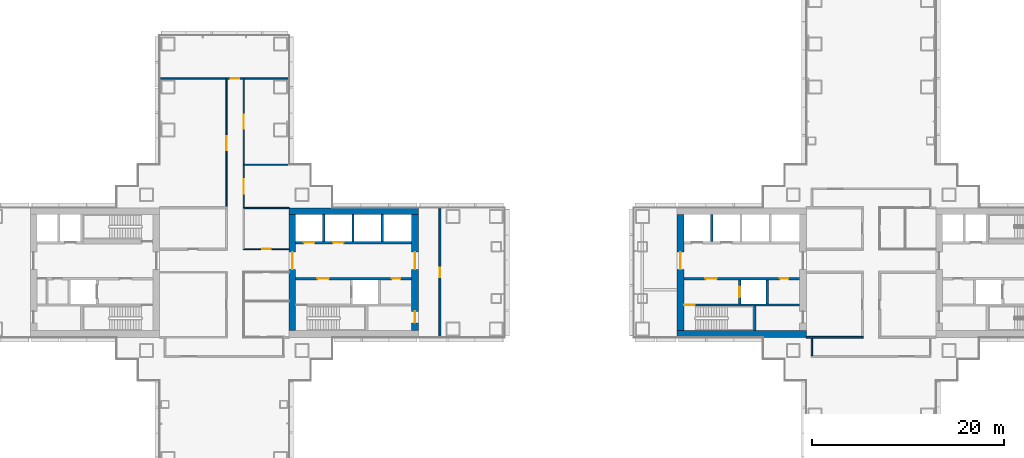
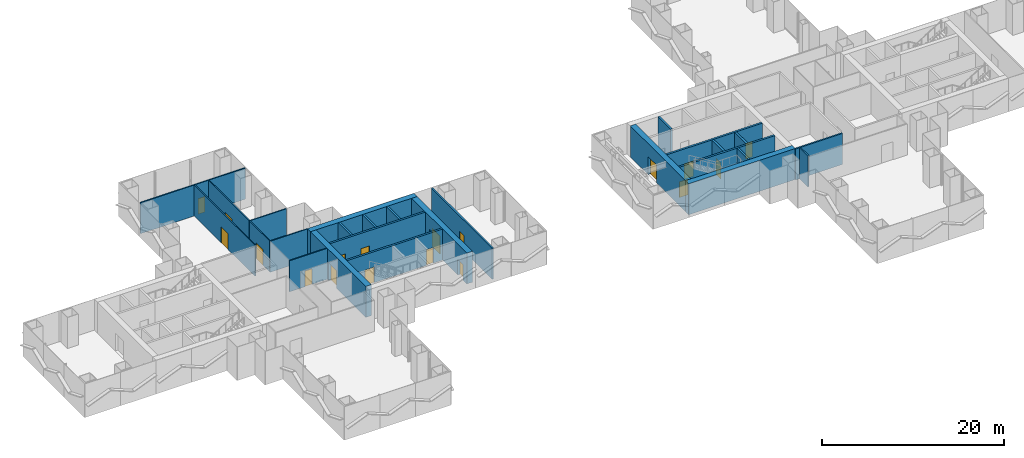
# One storey, part 15 of 22: 28 walls, 18 doors, 18 openings.
"""IFC4 building model written with IfcOpenShell, lengths in metres."""

import ifcopenshell
import ifcopenshell.guid

model = None  # the IFC model being written
_history = None  # IfcOwnerHistory: only IFC2X3 demands one
_inside = {}  # id of a spatial element -> (the spatial element, [elements in it])
_under = {}  # id of a project, library or spatial element -> (it, [spatial elements below it])
_declared = {}  # id of a project -> (the project, [libraries it declares])
_typed = {}  # id of a type object -> (the type object, [elements of that type])
_made_of = {}  # id of a material, layer set ... -> (it, [elements and type objects made of it])


def new_model(schema):
    """Start an empty IFC model of exactly this schema.

    Asked for "IFC4X3", IfcOpenShell would pick the latest addendum, in which some entities
    have other attributes; the version numbers below select the first issue.
    IFC2X3 requires an IfcOwnerHistory on every rooted entity: one is made here for all.
    """
    global model, _history
    if schema == "IFC4X3":
        model = ifcopenshell.file(schema_version=(4, 3, 0, 0))
    else:
        model = ifcopenshell.file(schema=schema)
    _inside.clear()
    _under.clear()
    _declared.clear()
    _typed.clear()
    _made_of.clear()
    _history = None
    if model.schema == "IFC2X3":
        org = make("IfcOrganization", Name="unknown")
        user = make(
            "IfcPersonAndOrganization",
            ThePerson=make("IfcPerson", FamilyName="unknown"),
            TheOrganization=org,
        )
        app = make(
            "IfcApplication",
            ApplicationDeveloper=org,
            Version="unknown",
            ApplicationFullName="unknown",
            ApplicationIdentifier="unknown",
        )
        _history = make(
            "IfcOwnerHistory",
            OwningUser=user,
            OwningApplication=app,
            ChangeAction="ADDED",
            CreationDate=0,
        )
    return model


def make(cls, **values):
    """One entity of the class cls with the attributes given. An attribute that is None is left unset."""
    return model.create_entity(
        cls, **{name: value for name, value in values.items() if value is not None}
    )


def rooted(cls, **values):
    """An entity with a GlobalId (a new one), such as an element, a storey or a relation."""
    return make(cls, GlobalId=ifcopenshell.guid.new(), OwnerHistory=_history, **values)


def si_unit(unit_type, name, prefix=None):
    """IfcSIUnit, for example si_unit("LENGTHUNIT", "METRE", prefix="MILLI")."""
    return make("IfcSIUnit", UnitType=unit_type, Prefix=prefix, Name=name)


def assignment(units):
    """IfcUnitAssignment: the units of a project."""
    return None if units is None else make("IfcUnitAssignment", Units=units)


def point(xyz):
    """IfcCartesianPoint."""
    return None if xyz is None else make("IfcCartesianPoint", Coordinates=xyz)


def direction(xyz):
    """IfcDirection."""
    return None if xyz is None else make("IfcDirection", DirectionRatios=xyz)


def frame(location, z_axis=None, x_axis=None):
    """IfcAxis2Placement3D, a coordinate frame: its origin and axes. An axis left out is left unset."""
    return make(
        "IfcAxis2Placement3D",
        Location=point(location),
        Axis=direction(z_axis),
        RefDirection=direction(x_axis),
    )


def frame_2d(location, x_axis=None):
    """IfcAxis2Placement2D, a coordinate frame in the plane: its origin and x axis."""
    return make(
        "IfcAxis2Placement2D", Location=point(location), RefDirection=direction(x_axis)
    )


def origin():
    """The frame at (0, 0, 0) with its axes left unset."""
    return frame((0.0, 0.0, 0.0))


def place(relative_to, where):
    """IfcLocalPlacement: puts the frame where relative to a parent placement (None: the world)."""
    return make(
        "IfcLocalPlacement", PlacementRelTo=relative_to, RelativePlacement=where
    )


def context(
    kind, dimensions, precision=None, world=None, true_north=None, identifier=None
):
    """IfcGeometricRepresentationContext, for example the 3D "Model" context."""
    return make(
        "IfcGeometricRepresentationContext",
        ContextIdentifier=identifier,
        ContextType=kind,
        CoordinateSpaceDimension=dimensions,
        Precision=precision,
        WorldCoordinateSystem=world,
        TrueNorth=true_north,
    )


def subcontext(parent, identifier, kind, view, scale=None):
    """IfcGeometricRepresentationSubContext, for example "Body" below "Model"."""
    return make(
        "IfcGeometricRepresentationSubContext",
        ContextIdentifier=identifier,
        ContextType=kind,
        ParentContext=parent,
        TargetScale=scale,
        TargetView=view,
    )


def project(units=None, contexts=None):
    """IfcProject with its units and contexts."""
    return rooted(
        "IfcProject",
        Name="project",
        RepresentationContexts=contexts,
        UnitsInContext=assignment(units),
    )


def spatial(cls, under=None, at=None, **own):
    """A site, building, storey or space (cls), placed at a placement, below another one or the project."""
    s = rooted(cls, ObjectPlacement=at, **own)
    if under is not None:
        _under.setdefault(under.id(), (under, []))[1].append(s)
    return s


def profile(cls, at=None, kind="AREA", **sizes):
    """A parametric profile (cls). Its sizes go by their IFC names, for example OverallWidth=200.0."""
    return make(cls, ProfileType=kind, Position=at, **sizes)


def rectangle(**sizes):
    """IfcRectangleProfileDef."""
    return profile("IfcRectangleProfileDef", **sizes)


def extrude(swept, where, along, depth):
    """IfcExtrudedAreaSolid: the profile swept, set in the frame where, extruded along a direction by depth."""
    return make(
        "IfcExtrudedAreaSolid",
        SweptArea=swept,
        Position=where,
        ExtrudedDirection=direction(along),
        Depth=depth,
    )


def shape(context_of_items, identifier, shape_type, items):
    """IfcShapeRepresentation: the items that make up one representation, for example the "Body"."""
    return make(
        "IfcShapeRepresentation",
        ContextOfItems=context_of_items,
        RepresentationIdentifier=identifier,
        RepresentationType=shape_type,
        Items=items,
    )


def material(Name=None, Category=None):
    """IfcMaterial."""
    return make("IfcMaterial", Name=Name, Category=Category)


def layer(
    of_material, thickness, ventilated=None, Name=None, Category=None, Priority=None
):
    """IfcMaterialLayer: one layer of a wall or slab, of a material (None: an air gap)."""
    return make(
        "IfcMaterialLayer",
        Material=of_material,
        LayerThickness=thickness,
        IsVentilated=ventilated,
        Name=Name,
        Category=Category,
        Priority=Priority,
    )


def layer_set(layers, Name=None):
    """IfcMaterialLayerSet."""
    return make("IfcMaterialLayerSet", MaterialLayers=layers, LayerSetName=Name)


def made_of(thing, what):
    """Note that an element or type object is made of a material, layer set ...; save() writes the relation."""
    if what is not None:
        _made_of.setdefault(what.id(), (what, []))[1].append(thing)
    return thing


def type_object(cls, material=None, **own):
    """A type object (cls), such as IfcWallType, which elements share."""
    return made_of(rooted(cls, **own), material)


def element(
    cls,
    number,
    at=None,
    inside=None,
    cuts=None,
    type_object=None,
    material=None,
    context=None,
    identifier="Body",
    shape_type=None,
    held_by="IfcProductDefinitionShape",
    body=None,
    shapes=None,
    **own,
):
    """One element of the class cls, such as IfcWall. Its Tag is "e" and its number.

    at: its placement. inside: the storey or other place that contains it. cuts: it is an
    opening in that element (IfcRelVoidsElement). A single representation is given by context,
    identifier, shape_type and body (its items); several are given by shapes. held_by: the class
    of the entity that holds the representations. save() writes the other relations.
    """
    e = rooted(cls, Tag="e%d" % number, ObjectPlacement=at, **own)
    if body is not None:
        shapes = [shape(context, identifier, shape_type, body)]
    if shapes is not None:
        e.Representation = make(held_by, Representations=shapes)
    if inside is not None:
        _inside.setdefault(inside.id(), (inside, []))[1].append(e)
    if cuts is not None:
        rooted(
            "IfcRelVoidsElement", RelatingBuildingElement=cuts, RelatedOpeningElement=e
        )
    if type_object is not None:
        _typed.setdefault(type_object.id(), (type_object, []))[1].append(e)
    return made_of(e, material)


def fill(opening, filler):
    """IfcRelFillsElement: the door or window that sits in an opening."""
    return rooted(
        "IfcRelFillsElement",
        RelatingOpeningElement=opening,
        RelatedBuildingElement=filler,
    )


def aggregate(whole, parts):
    """IfcRelAggregates: a whole, such as a stair, and the parts it consists of."""
    return rooted("IfcRelAggregates", RelatingObject=whole, RelatedObjects=parts)


def save(model, path):
    """Write the relations noted so far, then the file.

    IfcRelAggregates (storeys below a building ...), IfcRelContainedInSpatialStructure (elements
    in a storey), IfcRelDefinesByType, IfcRelAssociatesMaterial and IfcRelDeclares: one each for
    every whole, place, type object, material and project.
    """
    for whole, parts in _under.values():
        aggregate(whole, parts)
    for where, things in _inside.values():
        rooted(
            "IfcRelContainedInSpatialStructure",
            RelatedElements=things,
            RelatingStructure=where,
        )
    for kind, things in _typed.values():
        rooted("IfcRelDefinesByType", RelatedObjects=things, RelatingType=kind)
    for what, things in _made_of.values():
        rooted("IfcRelAssociatesMaterial", RelatedObjects=things, RelatingMaterial=what)
    for by, libraries in _declared.values():
        rooted("IfcRelDeclares", RelatingContext=by, RelatedDefinitions=libraries)
    model.write(path)


model = new_model("IFC4")

# Units and contexts
model_context = context("Model", 3, precision=1e-05, world=origin(), true_north=direction((0.0, 1.0)))
body_context = subcontext(model_context, "Body", "Model", "MODEL_VIEW")
ifc_project = project(units=[si_unit("LENGTHUNIT", "METRE"), si_unit("AREAUNIT", "SQUARE_METRE"), si_unit("VOLUMEUNIT", "CUBIC_METRE"), si_unit("PLANEANGLEUNIT", "RADIAN"), si_unit("MASSUNIT", "GRAM", prefix="KILO")], contexts=[model_context])

# Site, building, storey
site_placement = place(None, origin())
site = spatial("IfcSite", under=ifc_project, at=site_placement, CompositionType="ELEMENT")
building_placement = place(site_placement, origin())
building = spatial("IfcBuilding", under=site, at=building_placement, Name="Shamsa Quay Exchange Towers", CompositionType="ELEMENT")
storey_placement = place(building_placement, frame((0.0, 0.0, 33.0)))
storey = spatial("IfcBuildingStorey", under=building, at=storey_placement, Name="L06", CompositionType="ELEMENT", Elevation=33.0)

# Wall
ifc_material_1 = material(Name="Concrete C80/95", Category="concrete")
ifc_layer_1 = layer(ifc_material_1, 0.699951171875)
ifc_layer_set_1 = layer_set([ifc_layer_1], Name="CORE WALL 700 C80/95")
wall_type_1 = type_object("IfcWallType", Name="CORE WALL 700 C80/95", PredefinedType="SHEAR", material=ifc_layer_set_1)
wall_1_placement = place(storey_placement, frame((-27.0, 6.39990234375, 0.0)))
element("IfcWall", 1, at=wall_1_placement, inside=storey, type_object=wall_type_1, Name="Core wall T1A-R02-PN", PredefinedType="SHEAR", context=body_context, shape_type="SweptSolid", body=[
    extrude(rectangle(XDim=13.5, YDim=0.699951171875, at=frame_2d((6.75, 0.0))), origin(), (0.0, 0.0, 1.0), 4.14990234375),
])

# Wall, opening, door
wall_2_placement = place(storey_placement, frame((-26.64990234375, 6.050048828125, 0.0), z_axis=(0.0, 0.0, 1.0), x_axis=(0.0, -1.0, 0.0)))
wall_2 = element("IfcWall", 2, at=wall_2_placement, inside=storey, type_object=wall_type_1, Name="Core wall T1A-R02-PF", PredefinedType="SHEAR", context=body_context, shape_type="SweptSolid", body=[
    extrude(rectangle(XDim=12.10009765625, YDim=0.699951171875, at=frame_2d((6.050048828125, 0.0))), origin(), (0.0, 0.0, 1.0), 4.14990234375),
])
opening_1_placement = place(wall_2_placement, frame((3.89990234375, 0.0, 0.0)))
opening_1 = element("IfcOpeningElement", 3, at=opening_1_placement, cuts=wall_2, Name="Opening T1A-R02-LBD01", PredefinedType="OPENING", context=body_context, shape_type="SweptSolid", body=[
    extrude(rectangle(XDim=1.800048828125, YDim=2.39990234375, at=frame_2d((0.89990234375, 1.199951171875))), frame((0.0, 0.35986328125, 0.0), z_axis=(0.0, -1.0, 0.0), x_axis=(1.0, 0.0, 0.0)), (0.0, 0.0, 1.0), 0.719970703125),
])
ifc_material_2 = material(Name="Steel, fire rated", Category="steel")
door_type_1 = type_object("IfcDoorType", Name="LIFT LOBBY DOOR PAIR 1800", OperationType="DOUBLE_DOOR_SINGLE_SWING", PredefinedType="DOOR", material=ifc_material_2)
door_1_placement = place(opening_1_placement, origin())
door_1 = element("IfcDoor", 4, at=door_1_placement, inside=storey, type_object=door_type_1, Name="T1A-R02-LBD01", OperationType="DOUBLE_DOOR_SINGLE_SWING", OverallHeight=2.39990234375, OverallWidth=1.800048828125, PredefinedType="DOOR", context=body_context, shape_type="SweptSolid", body=[
    extrude(rectangle(XDim=1.800048828125, YDim=2.39990234375, at=frame_2d((0.89990234375, 1.199951171875))), frame((0.0, 0.02490234375, 0.0), z_axis=(0.0, -1.0, 0.0), x_axis=(1.0, 0.0, 0.0)), (0.0, 0.0, 1.0), 0.050048828125),
])
fill(opening_1, door_1)

# Wall, openings, doors
wall_3_placement = place(storey_placement, frame((-13.85009765625, 6.050048828125, 0.0), z_axis=(0.0, 0.0, 1.0), x_axis=(0.0, -1.0, 0.0)))
wall_3 = element("IfcWall", 5, at=wall_3_placement, inside=storey, type_object=wall_type_1, Name="Core wall T1A-R02-PB", PredefinedType="SHEAR", context=body_context, shape_type="SweptSolid", body=[
    extrude(rectangle(XDim=12.10009765625, YDim=0.699951171875, at=frame_2d((6.050048828125, 0.0))), origin(), (0.0, 0.0, 1.0), 4.14990234375),
])
opening_2_placement = place(wall_3_placement, frame((10.10009765625, 0.0, 0.0)))
opening_2 = element("IfcOpeningElement", 6, at=opening_2_placement, cuts=wall_3, Name="Opening T1A-R02-RD02", PredefinedType="OPENING", context=body_context, shape_type="SweptSolid", body=[
    extrude(rectangle(XDim=1.199951171875, YDim=2.10009765625, at=frame_2d((0.60009765625, 1.050048828125))), frame((0.0, 0.35986328125, 0.0), z_axis=(0.0, -1.0, 0.0), x_axis=(1.0, 0.0, 0.0)), (0.0, 0.0, 1.0), 0.719970703125),
])
opening_3_placement = place(wall_3_placement, frame((3.89990234375, 0.0, 0.0)))
opening_3 = element("IfcOpeningElement", 7, at=opening_3_placement, cuts=wall_3, Name="Opening T1A-R02-LBD03", PredefinedType="OPENING", context=body_context, shape_type="SweptSolid", body=[
    extrude(rectangle(XDim=1.800048828125, YDim=2.39990234375, at=frame_2d((0.89990234375, 1.199951171875))), frame((0.0, 0.35986328125, 0.0), z_axis=(0.0, -1.0, 0.0), x_axis=(1.0, 0.0, 0.0)), (0.0, 0.0, 1.0), 0.719970703125),
])
door_2_placement = place(opening_3_placement, origin())
door_2 = element("IfcDoor", 8, at=door_2_placement, inside=storey, type_object=door_type_1, Name="T1A-R02-LBD03", OperationType="DOUBLE_DOOR_SINGLE_SWING", OverallHeight=2.39990234375, OverallWidth=1.800048828125, PredefinedType="DOOR", context=body_context, shape_type="SweptSolid", body=[
    extrude(rectangle(XDim=1.800048828125, YDim=2.39990234375, at=frame_2d((0.89990234375, 1.199951171875))), frame((0.0, 0.02490234375, 0.0), z_axis=(0.0, -1.0, 0.0), x_axis=(1.0, 0.0, 0.0)), (0.0, 0.0, 1.0), 0.050048828125),
])
fill(opening_3, door_2)
door_type_2 = type_object("IfcDoorType", Name="RISER ACCESS DOOR 1200", OperationType="SINGLE_SWING_LEFT", PredefinedType="DOOR", material=ifc_material_2)
door_3_placement = place(opening_2_placement, origin())
door_3 = element("IfcDoor", 9, at=door_3_placement, inside=storey, type_object=door_type_2, Name="T1A-R02-RD02", OperationType="SINGLE_SWING_RIGHT", OverallHeight=2.10009765625, OverallWidth=1.199951171875, PredefinedType="DOOR", context=body_context, shape_type="SweptSolid", body=[
    extrude(rectangle(XDim=1.199951171875, YDim=2.10009765625, at=frame_2d((0.60009765625, 1.050048828125))), frame((0.0, 0.02490234375, 0.0), z_axis=(0.0, -1.0, 0.0), x_axis=(1.0, 0.0, 0.0)), (0.0, 0.0, 1.0), 0.050048828125),
])
fill(opening_2, door_3)

# Wall
wall_4_placement = place(storey_placement, frame((13.5, -6.39990234375, 0.0)))
element("IfcWall", 10, at=wall_4_placement, inside=storey, type_object=wall_type_1, Name="Core wall T2A-R02-PS", PredefinedType="SHEAR", context=body_context, shape_type="SweptSolid", body=[
    extrude(rectangle(XDim=13.5, YDim=0.699951171875, at=frame_2d((6.75, 0.0))), origin(), (0.0, 0.0, 1.0), 4.14990234375),
])

# Wall, opening, door
wall_5_placement = place(storey_placement, frame((13.85009765625, 6.050048828125, 0.0), z_axis=(0.0, 0.0, 1.0), x_axis=(0.0, -1.0, 0.0)))
wall_5 = element("IfcWall", 11, at=wall_5_placement, inside=storey, type_object=wall_type_1, Name="Core wall T2A-R02-PF", PredefinedType="SHEAR", context=body_context, shape_type="SweptSolid", body=[
    extrude(rectangle(XDim=12.10009765625, YDim=0.699951171875, at=frame_2d((6.050048828125, 0.0))), origin(), (0.0, 0.0, 1.0), 4.14990234375),
])
opening_4_placement = place(wall_5_placement, frame((3.89990234375, 0.0, 0.0)))
opening_4 = element("IfcOpeningElement", 12, at=opening_4_placement, cuts=wall_5, Name="Opening T2A-R02-LBD01", PredefinedType="OPENING", context=body_context, shape_type="SweptSolid", body=[
    extrude(rectangle(XDim=1.800048828125, YDim=2.39990234375, at=frame_2d((0.89990234375, 1.199951171875))), frame((0.0, 0.35986328125, 0.0), z_axis=(0.0, -1.0, 0.0), x_axis=(1.0, 0.0, 0.0)), (0.0, 0.0, 1.0), 0.719970703125),
])
door_4_placement = place(opening_4_placement, origin())
door_4 = element("IfcDoor", 13, at=door_4_placement, inside=storey, type_object=door_type_1, Name="T2A-R02-LBD01", OperationType="DOUBLE_DOOR_SINGLE_SWING", OverallHeight=2.39990234375, OverallWidth=1.800048828125, PredefinedType="DOOR", context=body_context, shape_type="SweptSolid", body=[
    extrude(rectangle(XDim=1.800048828125, YDim=2.39990234375, at=frame_2d((0.89990234375, 1.199951171875))), frame((0.0, 0.02490234375, 0.0), z_axis=(0.0, -1.0, 0.0), x_axis=(1.0, 0.0, 0.0)), (0.0, 0.0, 1.0), 0.050048828125),
])
fill(opening_4, door_4)

ifc_material_3 = material(Name="Laminated fire-resisting glass in a metal frame", Category="glass")
ifc_layer_2 = layer(ifc_material_3, 0.125)
ifc_layer_set_2 = layer_set([ifc_layer_2], Name="Glazed partition 125 mm EI 60")
wall_type_2 = type_object("IfcWallType", Name="Glazed partition 125 mm EI 60", PredefinedType="PARTITIONING", material=ifc_layer_set_2)
wall_6_placement = place(storey_placement, frame((-31.724609375, 20.175048828125, 0.0), z_axis=(0.0, 0.0, 1.0), x_axis=(0.0, -1.0, 0.0)))
wall_6 = element("IfcWall", 14, at=wall_6_placement, inside=storey, type_object=wall_type_2, Name="Partition T1-R02-W01", PredefinedType="PARTITIONING", context=body_context, shape_type="SweptSolid", body=[
    extrude(rectangle(XDim=8.862548828125, YDim=0.125, at=frame_2d((4.43115234375, 0.0))), origin(), (0.0, 0.0, 1.0), 4.14990234375),
])
opening_5_placement = place(wall_6_placement, frame((3.675048828125, 0.0, 0.0)))
opening_5 = element("IfcOpeningElement", 15, at=opening_5_placement, cuts=wall_6, Name="Opening T1-R02-D09", PredefinedType="OPENING", context=body_context, shape_type="SweptSolid", body=[
    extrude(rectangle(XDim=1.5, YDim=2.10009765625, at=frame_2d((0.75, 1.050048828125))), frame((0.0, 0.072509765625, 0.0), z_axis=(0.0, -1.0, 0.0), x_axis=(1.0, 0.0, 0.0)), (0.0, 0.0, 1.0), 0.14501953125),
])
ifc_material_4 = material(Name="Timber door leaf in a metal frame", Category="wood")
door_type_3 = type_object("IfcDoorType", Name="Door 1500x2100 FD30S pair", OperationType="NOTDEFINED", PredefinedType="DOOR", material=ifc_material_4)
door_5_placement = place(opening_5_placement, origin())
door_5 = element("IfcDoor", 16, at=door_5_placement, inside=storey, type_object=door_type_3, Name="Door T1-R02-D09", OperationType="DOUBLE_DOOR_SINGLE_SWING", OverallHeight=2.10009765625, OverallWidth=1.5, PredefinedType="DOOR", context=body_context, shape_type="SweptSolid", body=[
    extrude(rectangle(XDim=1.5, YDim=2.10009765625, at=frame_2d((0.75, 1.050048828125))), frame((0.0, 0.02490234375, 0.0), z_axis=(0.0, -1.0, 0.0), x_axis=(1.0, 0.0, 0.0)), (0.0, 0.0, 1.0), 0.050048828125),
])
fill(opening_5, door_5)

wall_7_placement = place(storey_placement, frame((-31.787109375, 2.4501953125, 0.0)))
wall_7 = element("IfcWall", 17, at=wall_7_placement, inside=storey, type_object=wall_type_2, Name="Partition T1-R02-W03", PredefinedType="PARTITIONING", context=body_context, shape_type="SweptSolid", body=[
    extrude(rectangle(XDim=4.787109375, YDim=0.125, at=frame_2d((2.3935546875, 0.0))), origin(), (0.0, 0.0, 1.0), 4.14990234375),
])
opening_6_placement = place(wall_7_placement, frame((1.974853515625, 0.0, 0.0)))
opening_6 = element("IfcOpeningElement", 18, at=opening_6_placement, cuts=wall_7, Name="Opening T1-R02-D07", PredefinedType="OPENING", context=body_context, shape_type="SweptSolid", body=[
    extrude(rectangle(XDim=0.89990234375, YDim=2.10009765625, at=frame_2d((0.449951171875, 1.050048828125))), frame((0.0, 0.072509765625, 0.0), z_axis=(0.0, -1.0, 0.0), x_axis=(1.0, 0.0, 0.0)), (0.0, 0.0, 1.0), 0.14501953125),
])
door_type_4 = type_object("IfcDoorType", Name="Door 900x2100 FD30S", OperationType="NOTDEFINED", PredefinedType="DOOR", material=ifc_material_4)
door_6_placement = place(opening_6_placement, origin())
door_6 = element("IfcDoor", 19, at=door_6_placement, inside=storey, type_object=door_type_4, Name="Door T1-R02-D07", OperationType="SINGLE_SWING_LEFT", OverallHeight=2.10009765625, OverallWidth=0.89990234375, PredefinedType="DOOR", context=body_context, shape_type="SweptSolid", body=[
    extrude(rectangle(XDim=0.89990234375, YDim=2.10009765625, at=frame_2d((0.449951171875, 1.050048828125))), frame((0.0, 0.02490234375, 0.0), z_axis=(0.0, -1.0, 0.0), x_axis=(1.0, 0.0, 0.0)), (0.0, 0.0, 1.0), 0.050048828125),
])
fill(opening_6, door_6)

wall_8_placement = place(storey_placement, frame((-33.525390625, 6.85009765625, 0.0), z_axis=(0.0, 0.0, 1.0), x_axis=(0.0, 1.0, 0.0)))
wall_8 = element("IfcWall", 20, at=wall_8_placement, inside=storey, type_object=wall_type_2, Name="Partition T1-R02-W11", PredefinedType="PARTITIONING", context=body_context, shape_type="SweptSolid", body=[
    extrude(rectangle(XDim=13.324951171875, YDim=0.125, at=frame_2d((6.66259765625, 0.0))), origin(), (0.0, 0.0, 1.0), 4.14990234375),
])
opening_7_placement = place(wall_8_placement, frame((5.89990234375, 0.0, 0.0)))
opening_7 = element("IfcOpeningElement", 21, at=opening_7_placement, cuts=wall_8, Name="Opening T1-R02-D04", PredefinedType="OPENING", context=body_context, shape_type="SweptSolid", body=[
    extrude(rectangle(XDim=1.5, YDim=2.10009765625, at=frame_2d((0.75, 1.050048828125))), frame((0.0, 0.072509765625, 0.0), z_axis=(0.0, -1.0, 0.0), x_axis=(1.0, 0.0, 0.0)), (0.0, 0.0, 1.0), 0.14501953125),
])
door_7_placement = place(opening_7_placement, origin())
door_7 = element("IfcDoor", 22, at=door_7_placement, inside=storey, type_object=door_type_3, Name="Door T1-R02-D04", OperationType="DOUBLE_DOOR_SINGLE_SWING", OverallHeight=2.10009765625, OverallWidth=1.5, PredefinedType="DOOR", context=body_context, shape_type="SweptSolid", body=[
    extrude(rectangle(XDim=1.5, YDim=2.10009765625, at=frame_2d((0.75, 1.050048828125))), frame((0.0, 0.02490234375, 0.0), z_axis=(0.0, -1.0, 0.0), x_axis=(1.0, 0.0, 0.0)), (0.0, 0.0, 1.0), 0.050048828125),
])
fill(opening_7, door_7)

wall_9_placement = place(storey_placement, frame((-31.724609375, 6.8125, 0.0), z_axis=(0.0, 0.0, 1.0), x_axis=(0.0, 1.0, 0.0)))
wall_9 = element("IfcWall", 23, at=wall_9_placement, inside=storey, type_object=wall_type_2, Name="Partition T1-R02-W13", PredefinedType="PARTITIONING", context=body_context, shape_type="SweptSolid", body=[
    extrude(rectangle(XDim=4.375, YDim=0.125, at=frame_2d((2.1875, 0.0))), origin(), (0.0, 0.0, 1.0), 4.14990234375),
])
opening_8_placement = place(wall_9_placement, frame((1.4375, 0.0, 0.0)))
opening_8 = element("IfcOpeningElement", 24, at=opening_8_placement, cuts=wall_9, Name="Opening T1-R02-D08", PredefinedType="OPENING", context=body_context, shape_type="SweptSolid", body=[
    extrude(rectangle(XDim=1.5, YDim=2.10009765625, at=frame_2d((0.75, 1.050048828125))), frame((0.0, 0.072509765625, 0.0), z_axis=(0.0, -1.0, 0.0), x_axis=(1.0, 0.0, 0.0)), (0.0, 0.0, 1.0), 0.14501953125),
])
door_8_placement = place(opening_8_placement, origin())
door_8 = element("IfcDoor", 25, at=door_8_placement, inside=storey, type_object=door_type_3, Name="Door T1-R02-D08", OperationType="DOUBLE_DOOR_SINGLE_SWING", OverallHeight=2.10009765625, OverallWidth=1.5, PredefinedType="DOOR", context=body_context, shape_type="SweptSolid", body=[
    extrude(rectangle(XDim=1.5, YDim=2.10009765625, at=frame_2d((0.75, 1.050048828125))), frame((0.0, 0.02490234375, 0.0), z_axis=(0.0, -1.0, 0.0), x_axis=(1.0, 0.0, 0.0)), (0.0, 0.0, 1.0), 0.050048828125),
])
fill(opening_8, door_8)

# Walls
wall_10_placement = place(storey_placement, frame((-27.0, 6.75, 0.0), z_axis=(0.0, 0.0, 1.0), x_axis=(-1.0, 0.0, 0.0)))
element("IfcWall", 26, at=wall_10_placement, inside=storey, type_object=wall_type_2, Name="Partition T1-R02-W19", PredefinedType="PARTITIONING", context=body_context, shape_type="SweptSolid", body=[
    extrude(rectangle(XDim=4.787109375, YDim=0.125, at=frame_2d((2.3935546875, 0.0))), origin(), (0.0, 0.0, 1.0), 4.14990234375),
])
wall_11_placement = place(storey_placement, frame((-27.094970703125, 11.25, 0.0), z_axis=(0.0, 0.0, 1.0), x_axis=(-1.0, 0.0, 0.0)))
element("IfcWall", 27, at=wall_11_placement, inside=storey, type_object=wall_type_2, Name="Partition T1-R02-W24", PredefinedType="PARTITIONING", context=body_context, shape_type="SweptSolid", body=[
    extrude(rectangle(XDim=4.692138671875, YDim=0.125, at=frame_2d((2.34619140625, 0.0))), origin(), (0.0, 0.0, 1.0), 4.14990234375),
])

# Wall, opening, door
ifc_material_5 = material(Name="Gypsum board partition on metal studs")
ifc_layer_3 = layer(ifc_material_5, 0.14990234375)
ifc_layer_set_3 = layer_set([ifc_layer_3], Name="Partition 150 mm EI 60")
wall_type_3 = type_object("IfcWallType", Name="Partition 150 mm EI 60", PredefinedType="PARTITIONING", material=ifc_layer_set_3)
wall_12_placement = place(storey_placement, frame((-33.587890625, 20.25, 0.0)))
wall_12 = element("IfcWall", 28, at=wall_12_placement, inside=storey, type_object=wall_type_3, Name="Partition T1-R02-W14", PredefinedType="PARTITIONING", context=body_context, shape_type="SweptSolid", body=[
    extrude(rectangle(XDim=1.92578125, YDim=0.14990234375, at=frame_2d((0.962890625, 0.0))), origin(), (0.0, 0.0, 1.0), 4.14990234375),
])
opening_9_placement = place(wall_12_placement, frame((0.512939453125, 0.0, 0.0)))
opening_9 = element("IfcOpeningElement", 29, at=opening_9_placement, cuts=wall_12, Name="Opening T1-R02-D05", PredefinedType="OPENING", context=body_context, shape_type="SweptSolid", body=[
    extrude(rectangle(XDim=0.89990234375, YDim=2.10009765625, at=frame_2d((0.449951171875, 1.050048828125))), frame((0.0, 0.0849609375, 0.0), z_axis=(0.0, -1.0, 0.0), x_axis=(1.0, 0.0, 0.0)), (0.0, 0.0, 1.0), 0.169921875),
])
door_9_placement = place(opening_9_placement, origin())
door_9 = element("IfcDoor", 30, at=door_9_placement, inside=storey, type_object=door_type_4, Name="Door T1-R02-D05", OperationType="SINGLE_SWING_LEFT", OverallHeight=2.10009765625, OverallWidth=0.89990234375, PredefinedType="DOOR", context=body_context, shape_type="SweptSolid", body=[
    extrude(rectangle(XDim=0.89990234375, YDim=2.10009765625, at=frame_2d((0.449951171875, 1.050048828125))), frame((0.0, 0.02490234375, 0.0), z_axis=(0.0, -1.0, 0.0), x_axis=(1.0, 0.0, 0.0)), (0.0, 0.0, 1.0), 0.050048828125),
])
fill(opening_9, door_9)

# Walls
wall_13_placement = place(storey_placement, frame((-27.094970703125, 20.25, 0.0), z_axis=(0.0, 0.0, 1.0), x_axis=(-1.0, 0.0, 0.0)))
element("IfcWall", 31, at=wall_13_placement, inside=storey, type_object=wall_type_3, Name="Partition T1-R02-W25", PredefinedType="PARTITIONING", context=body_context, shape_type="SweptSolid", body=[
    extrude(rectangle(XDim=4.692138671875, YDim=0.14990234375, at=frame_2d((2.34619140625, 0.0))), origin(), (0.0, 0.0, 1.0), 4.14990234375),
])
wall_14_placement = place(storey_placement, frame((-33.462890625, 20.25, 0.0), z_axis=(0.0, 0.0, 1.0), x_axis=(-1.0, 0.0, 0.0)))
element("IfcWall", 32, at=wall_14_placement, inside=storey, type_object=wall_type_3, Name="Partition T1-R02-W26", PredefinedType="PARTITIONING", context=body_context, shape_type="SweptSolid", body=[
    extrude(rectangle(XDim=6.942138671875, YDim=0.14990234375, at=frame_2d((3.47119140625, 0.0))), origin(), (0.0, 0.0, 1.0), 4.14990234375),
])
wall_15_placement = place(storey_placement, frame((27.5751953125, -6.85009765625, 0.0), z_axis=(0.0, 0.0, 1.0), x_axis=(0.0, -1.0, 0.0)))
element("IfcWall", 33, at=wall_15_placement, inside=storey, type_object=wall_type_3, Name="Partition T2-R02-W16", PredefinedType="PARTITIONING", context=body_context, shape_type="SweptSolid", body=[
    extrude(rectangle(XDim=1.824951171875, YDim=0.14990234375, at=frame_2d((0.91259765625, 0.0))), origin(), (0.0, 0.0, 1.0), 4.14990234375),
])

# Wall, opening, door
ifc_layer_4 = layer(ifc_material_5, 0.199951171875)
ifc_layer_set_4 = layer_set([ifc_layer_4], Name="Partition 200 mm EI 120")
wall_type_4 = type_object("IfcWallType", Name="Partition 200 mm EI 120", PredefinedType="PARTITIONING", material=ifc_layer_set_4)
wall_16_placement = place(storey_placement, frame((-11.25, 6.655029296875, 0.0), z_axis=(0.0, 0.0, 1.0), x_axis=(0.0, -1.0, 0.0)))
wall_16 = element("IfcWall", 34, at=wall_16_placement, inside=storey, type_object=wall_type_4, Name="Partition T1-R02-W18", PredefinedType="PARTITIONING", context=body_context, shape_type="SweptSolid", body=[
    extrude(rectangle(XDim=13.31005859375, YDim=0.199951171875, at=frame_2d((6.655029296875, 0.0))), origin(), (0.0, 0.0, 1.0), 4.14990234375),
])
opening_10_placement = place(wall_16_placement, frame((6.155029296875, 0.0, 0.0)))
opening_10 = element("IfcOpeningElement", 35, at=opening_10_placement, cuts=wall_16, Name="Opening T1-R02-D12", PredefinedType="OPENING", context=body_context, shape_type="SweptSolid", body=[
    extrude(rectangle(XDim=1.0, YDim=2.10009765625, at=frame_2d((0.5, 1.050048828125))), frame((0.0, 0.10986328125, 0.0), z_axis=(0.0, -1.0, 0.0), x_axis=(1.0, 0.0, 0.0)), (0.0, 0.0, 1.0), 0.219970703125),
])
door_type_5 = type_object("IfcDoorType", Name="Door 1000x2100 FD60", OperationType="NOTDEFINED", PredefinedType="DOOR", material=ifc_material_4)
door_10_placement = place(opening_10_placement, origin())
door_10 = element("IfcDoor", 36, at=door_10_placement, inside=storey, type_object=door_type_5, Name="Door T1-R02-D12", OperationType="SINGLE_SWING_RIGHT", OverallHeight=2.10009765625, OverallWidth=1.0, PredefinedType="DOOR", context=body_context, shape_type="SweptSolid", body=[
    extrude(rectangle(XDim=1.0, YDim=2.10009765625, at=frame_2d((0.5, 1.050048828125))), frame((0.0, 0.02490234375, 0.0), z_axis=(0.0, -1.0, 0.0), x_axis=(1.0, 0.0, 0.0)), (0.0, 0.0, 1.0), 0.050048828125),
])
fill(opening_10, door_10)

# Wall
wall_17_placement = place(storey_placement, frame((27.0, -6.75, 0.0)))
element("IfcWall", 37, at=wall_17_placement, inside=storey, type_object=wall_type_4, Name="Partition T2-R02-W08", PredefinedType="PARTITIONING", context=body_context, shape_type="SweptSolid", body=[
    extrude(rectangle(XDim=5.94970703125, YDim=0.199951171875, at=frame_2d((2.974853515625, 0.0))), origin(), (0.0, 0.0, 1.0), 4.14990234375),
])

# Wall, openings, doors
ifc_material_6 = material(Name="Concrete C50/60", Category="concrete")
ifc_layer_5 = layer(ifc_material_6, 0.25)
ifc_layer_set_5 = layer_set([ifc_layer_5], Name="SHAFT WALL 250 C50/60")
wall_type_5 = type_object("IfcWallType", Name="SHAFT WALL 250 C50/60", PredefinedType="SHEAR", material=ifc_layer_set_5)
wall_18_placement = place(storey_placement, frame((-14.199951171875, -0.625, 0.0), z_axis=(0.0, 0.0, 1.0), x_axis=(-1.0, 0.0, 0.0)))
wall_18 = element("IfcWall", 38, at=wall_18_placement, inside=storey, type_object=wall_type_5, Name="Shaft wall T1A-R02-B", PredefinedType="SHEAR", context=body_context, shape_type="SweptSolid", body=[
    extrude(rectangle(XDim=12.10009765625, YDim=0.25, at=frame_2d((6.050048828125, 0.0))), origin(), (0.0, 0.0, 1.0), 4.14990234375),
])
opening_11_placement = place(wall_18_placement, frame((8.64990234375, 0.0, 0.0)))
opening_11 = element("IfcOpeningElement", 39, at=opening_11_placement, cuts=wall_18, Name="Opening T1A-R02-FD05", PredefinedType="OPENING", context=body_context, shape_type="SweptSolid", body=[
    extrude(rectangle(XDim=1.199951171875, YDim=2.10009765625, at=frame_2d((0.60009765625, 1.050048828125))), frame((0.0, 0.135009765625, 0.0), z_axis=(0.0, -1.0, 0.0), x_axis=(1.0, 0.0, 0.0)), (0.0, 0.0, 1.0), 0.27001953125),
])
opening_12_placement = place(wall_18_placement, frame((1.175048828125, 0.0, 0.0)))
opening_12 = element("IfcOpeningElement", 40, at=opening_12_placement, cuts=wall_18, Name="Opening T1A-R02-SV06", PredefinedType="OPENING", context=body_context, shape_type="SweptSolid", body=[
    extrude(rectangle(XDim=0.89990234375, YDim=2.10009765625, at=frame_2d((0.449951171875, 1.050048828125))), frame((0.0, 0.135009765625, 0.0), z_axis=(0.0, -1.0, 0.0), x_axis=(1.0, 0.0, 0.0)), (0.0, 0.0, 1.0), 0.27001953125),
])
door_type_6 = type_object("IfcDoorType", Name="FIRE SERVICE LOBBY DOOR 1200", OperationType="SINGLE_SWING_LEFT", PredefinedType="DOOR", material=ifc_material_2)
door_11_placement = place(opening_11_placement, origin())
door_11 = element("IfcDoor", 41, at=door_11_placement, inside=storey, type_object=door_type_6, Name="T1A-R02-FD05", OperationType="SINGLE_SWING_RIGHT", OverallHeight=2.10009765625, OverallWidth=1.199951171875, PredefinedType="DOOR", context=body_context, shape_type="SweptSolid", body=[
    extrude(rectangle(XDim=1.199951171875, YDim=2.10009765625, at=frame_2d((0.60009765625, 1.050048828125))), frame((0.0, 0.02490234375, 0.0), z_axis=(0.0, -1.0, 0.0), x_axis=(1.0, 0.0, 0.0)), (0.0, 0.0, 1.0), 0.050048828125),
])
fill(opening_11, door_11)
door_type_7 = type_object("IfcDoorType", Name="SERVICE ROOM DOOR 900", OperationType="SINGLE_SWING_LEFT", PredefinedType="DOOR", material=ifc_material_2)
door_12_placement = place(opening_12_placement, origin())
door_12 = element("IfcDoor", 42, at=door_12_placement, inside=storey, type_object=door_type_7, Name="T1A-R02-SV06", OperationType="SINGLE_SWING_LEFT", OverallHeight=2.10009765625, OverallWidth=0.89990234375, PredefinedType="DOOR", context=body_context, shape_type="SweptSolid", body=[
    extrude(rectangle(XDim=0.89990234375, YDim=2.10009765625, at=frame_2d((0.449951171875, 1.050048828125))), frame((0.0, 0.02490234375, 0.0), z_axis=(0.0, -1.0, 0.0), x_axis=(1.0, 0.0, 0.0)), (0.0, 0.0, 1.0), 0.050048828125),
])
fill(opening_12, door_12)

wall_19_placement = place(storey_placement, frame((-26.300048828125, 3.125, 0.0)))
wall_19 = element("IfcWall", 43, at=wall_19_placement, inside=storey, type_object=wall_type_5, Name="Shaft wall T1A-R02-N", PredefinedType="SHEAR", context=body_context, shape_type="SweptSolid", body=[
    extrude(rectangle(XDim=12.10009765625, YDim=0.25, at=frame_2d((6.050048828125, 0.0))), origin(), (0.0, 0.0, 1.0), 4.14990234375),
])
opening_13_placement = place(wall_19_placement, frame((0.85009765625, 0.0, 0.0)))
opening_13 = element("IfcOpeningElement", 44, at=opening_13_placement, cuts=wall_19, Name="Opening T1A-R02-LD08", PredefinedType="OPENING", context=body_context, shape_type="SweptSolid", body=[
    extrude(rectangle(XDim=1.10009765625, YDim=2.10009765625, at=frame_2d((0.550048828125, 1.050048828125))), frame((0.0, 0.135009765625, 0.0), z_axis=(0.0, -1.0, 0.0), x_axis=(1.0, 0.0, 0.0)), (0.0, 0.0, 1.0), 0.27001953125),
])
opening_14_placement = place(wall_19_placement, frame((3.89990234375, 0.0, 0.0)))
opening_14 = element("IfcOpeningElement", 45, at=opening_14_placement, cuts=wall_19, Name="Opening T1A-R02-LD09", PredefinedType="OPENING", context=body_context, shape_type="SweptSolid", body=[
    extrude(rectangle(XDim=1.10009765625, YDim=2.10009765625, at=frame_2d((0.550048828125, 1.050048828125))), frame((0.0, 0.135009765625, 0.0), z_axis=(0.0, -1.0, 0.0), x_axis=(1.0, 0.0, 0.0)), (0.0, 0.0, 1.0), 0.27001953125),
])
door_type_8 = type_object("IfcDoorType", Name="LANDING DOOR 1100", OperationType="SLIDING_TO_LEFT", PredefinedType="DOOR", material=ifc_material_2)
door_13_placement = place(opening_13_placement, origin())
door_13 = element("IfcDoor", 46, at=door_13_placement, inside=storey, type_object=door_type_8, Name="T1A-R02-LD08", OperationType="SLIDING_TO_LEFT", OverallHeight=2.10009765625, OverallWidth=1.10009765625, PredefinedType="DOOR", context=body_context, shape_type="SweptSolid", body=[
    extrude(rectangle(XDim=1.10009765625, YDim=2.10009765625, at=frame_2d((0.550048828125, 1.050048828125))), frame((0.0, 0.02490234375, 0.0), z_axis=(0.0, -1.0, 0.0), x_axis=(1.0, 0.0, 0.0)), (0.0, 0.0, 1.0), 0.050048828125),
])
fill(opening_13, door_13)
door_14_placement = place(opening_14_placement, origin())
door_14 = element("IfcDoor", 47, at=door_14_placement, inside=storey, type_object=door_type_8, Name="T1A-R02-LD09", OperationType="SLIDING_TO_LEFT", OverallHeight=2.10009765625, OverallWidth=1.10009765625, PredefinedType="DOOR", context=body_context, shape_type="SweptSolid", body=[
    extrude(rectangle(XDim=1.10009765625, YDim=2.10009765625, at=frame_2d((0.550048828125, 1.050048828125))), frame((0.0, 0.02490234375, 0.0), z_axis=(0.0, -1.0, 0.0), x_axis=(1.0, 0.0, 0.0)), (0.0, 0.0, 1.0), 0.050048828125),
])
fill(opening_14, door_14)

# Walls
for number, where, z_axis, x_axis, name in (
    (48, (-23.375, 3.25, 0.0), (0.0, 0.0, 1.0), (0.0, 1.0, 0.0), "Shaft wall T1A-R02-D0"),
    (49, (-20.324951171875, 3.25, 0.0), (0.0, 0.0, 1.0), (0.0, 1.0, 0.0), "Shaft wall T1A-R02-D1"),
    (50, (-17.27490234375, 3.25, 0.0), (0.0, 0.0, 1.0), (0.0, 1.0, 0.0), "Shaft wall T1A-R02-D2"),
):
    element("IfcWall", number, at=place(storey_placement, frame(where, z_axis=z_axis, x_axis=x_axis)), inside=storey, type_object=wall_type_5, Name=name, PredefinedType="SHEAR", context=body_context, shape_type="SweptSolid", body=[
        extrude(rectangle(XDim=2.800048828125, YDim=0.25, at=frame_2d((1.39990234375, 0.0))), origin(), (0.0, 0.0, 1.0), 4.14990234375),
    ])

# Wall, opening, door
wall_20_placement = place(storey_placement, frame((26.300048828125, -3.375, 0.0), z_axis=(0.0, 0.0, 1.0), x_axis=(-1.0, 0.0, 0.0)))
wall_20 = element("IfcWall", 51, at=wall_20_placement, inside=storey, type_object=wall_type_5, Name="Shaft wall T2A-R02-STL", PredefinedType="SHEAR", context=body_context, shape_type="SweptSolid", body=[
    extrude(rectangle(XDim=12.10009765625, YDim=0.25, at=frame_2d((6.050048828125, 0.0))), origin(), (0.0, 0.0, 1.0), 4.14990234375),
])
opening_15_placement = place(wall_20_placement, frame((10.949951171875, 0.0, 0.0)))
opening_15 = element("IfcOpeningElement", 52, at=opening_15_placement, cuts=wall_20, Name="Opening T2A-R02-SD04", PredefinedType="OPENING", context=body_context, shape_type="SweptSolid", body=[
    extrude(rectangle(XDim=1.10009765625, YDim=2.10009765625, at=frame_2d((0.550048828125, 1.050048828125))), frame((0.0, 0.135009765625, 0.0), z_axis=(0.0, -1.0, 0.0), x_axis=(1.0, 0.0, 0.0)), (0.0, 0.0, 1.0), 0.27001953125),
])
door_type_9 = type_object("IfcDoorType", Name="STAIR DOOR 1100", OperationType="SINGLE_SWING_LEFT", PredefinedType="DOOR", material=ifc_material_2)
door_15_placement = place(opening_15_placement, origin())
door_15 = element("IfcDoor", 53, at=door_15_placement, inside=storey, type_object=door_type_9, Name="T2A-R02-SD04", OperationType="SINGLE_SWING_RIGHT", OverallHeight=2.10009765625, OverallWidth=1.10009765625, PredefinedType="DOOR", context=body_context, shape_type="SweptSolid", body=[
    extrude(rectangle(XDim=1.10009765625, YDim=2.10009765625, at=frame_2d((0.550048828125, 1.050048828125))), frame((0.0, 0.02490234375, 0.0), z_axis=(0.0, -1.0, 0.0), x_axis=(1.0, 0.0, 0.0)), (0.0, 0.0, 1.0), 0.050048828125),
])
fill(opening_15, door_15)

# Wall
wall_21_placement = place(storey_placement, frame((21.625, -6.050048828125, 0.0), z_axis=(0.0, 0.0, 1.0), x_axis=(0.0, 1.0, 0.0)))
element("IfcWall", 54, at=wall_21_placement, inside=storey, type_object=wall_type_5, Name="Shaft wall T2A-R02-STF", PredefinedType="SHEAR", context=body_context, shape_type="SweptSolid", body=[
    extrude(rectangle(XDim=2.550048828125, YDim=0.25, at=frame_2d((1.27490234375, 0.0))), origin(), (0.0, 0.0, 1.0), 4.14990234375),
])

# Wall, openings, doors
wall_22_placement = place(storey_placement, frame((26.300048828125, -0.625, 0.0), z_axis=(0.0, 0.0, 1.0), x_axis=(-1.0, 0.0, 0.0)))
wall_22 = element("IfcWall", 55, at=wall_22_placement, inside=storey, type_object=wall_type_5, Name="Shaft wall T2A-R02-B", PredefinedType="SHEAR", context=body_context, shape_type="SweptSolid", body=[
    extrude(rectangle(XDim=12.10009765625, YDim=0.25, at=frame_2d((6.050048828125, 0.0))), origin(), (0.0, 0.0, 1.0), 4.14990234375),
])
opening_16_placement = place(wall_22_placement, frame((8.64990234375, 0.0, 0.0)))
opening_16 = element("IfcOpeningElement", 56, at=opening_16_placement, cuts=wall_22, Name="Opening T2A-R02-FD05", PredefinedType="OPENING", context=body_context, shape_type="SweptSolid", body=[
    extrude(rectangle(XDim=1.199951171875, YDim=2.10009765625, at=frame_2d((0.60009765625, 1.050048828125))), frame((0.0, 0.135009765625, 0.0), z_axis=(0.0, -1.0, 0.0), x_axis=(1.0, 0.0, 0.0)), (0.0, 0.0, 1.0), 0.27001953125),
])
opening_17_placement = place(wall_22_placement, frame((1.175048828125, 0.0, 0.0)))
opening_17 = element("IfcOpeningElement", 57, at=opening_17_placement, cuts=wall_22, Name="Opening T2A-R02-SV06", PredefinedType="OPENING", context=body_context, shape_type="SweptSolid", body=[
    extrude(rectangle(XDim=0.89990234375, YDim=2.10009765625, at=frame_2d((0.449951171875, 1.050048828125))), frame((0.0, 0.135009765625, 0.0), z_axis=(0.0, -1.0, 0.0), x_axis=(1.0, 0.0, 0.0)), (0.0, 0.0, 1.0), 0.27001953125),
])
door_16_placement = place(opening_16_placement, origin())
door_16 = element("IfcDoor", 58, at=door_16_placement, inside=storey, type_object=door_type_6, Name="T2A-R02-FD05", OperationType="SINGLE_SWING_RIGHT", OverallHeight=2.10009765625, OverallWidth=1.199951171875, PredefinedType="DOOR", context=body_context, shape_type="SweptSolid", body=[
    extrude(rectangle(XDim=1.199951171875, YDim=2.10009765625, at=frame_2d((0.60009765625, 1.050048828125))), frame((0.0, 0.02490234375, 0.0), z_axis=(0.0, -1.0, 0.0), x_axis=(1.0, 0.0, 0.0)), (0.0, 0.0, 1.0), 0.050048828125),
])
fill(opening_16, door_16)
door_17_placement = place(opening_17_placement, origin())
door_17 = element("IfcDoor", 59, at=door_17_placement, inside=storey, type_object=door_type_7, Name="T2A-R02-SV06", OperationType="SINGLE_SWING_LEFT", OverallHeight=2.10009765625, OverallWidth=0.89990234375, PredefinedType="DOOR", context=body_context, shape_type="SweptSolid", body=[
    extrude(rectangle(XDim=0.89990234375, YDim=2.10009765625, at=frame_2d((0.449951171875, 1.050048828125))), frame((0.0, 0.02490234375, 0.0), z_axis=(0.0, -1.0, 0.0), x_axis=(1.0, 0.0, 0.0)), (0.0, 0.0, 1.0), 0.050048828125),
])
fill(opening_17, door_17)

# Wall, opening, door
wall_23_placement = place(storey_placement, frame((20.02490234375, -3.25, 0.0), z_axis=(0.0, 0.0, 1.0), x_axis=(0.0, 1.0, 0.0)))
wall_23 = element("IfcWall", 60, at=wall_23_placement, inside=storey, type_object=wall_type_5, Name="Shaft wall T2A-R02-FFF", PredefinedType="SHEAR", context=body_context, shape_type="SweptSolid", body=[
    extrude(rectangle(XDim=2.5, YDim=0.25, at=frame_2d((1.25, 0.0))), origin(), (0.0, 0.0, 1.0), 4.14990234375),
])
opening_18_placement = place(wall_23_placement, frame((0.699951171875, 0.0, 0.0)))
opening_18 = element("IfcOpeningElement", 61, at=opening_18_placement, cuts=wall_23, Name="Opening T2A-R02-LDF07", PredefinedType="OPENING", context=body_context, shape_type="SweptSolid", body=[
    extrude(rectangle(XDim=1.10009765625, YDim=2.10009765625, at=frame_2d((0.550048828125, 1.050048828125))), frame((0.0, 0.135009765625, 0.0), z_axis=(0.0, -1.0, 0.0), x_axis=(1.0, 0.0, 0.0)), (0.0, 0.0, 1.0), 0.27001953125),
])
door_type_10 = type_object("IfcDoorType", Name="FIRE SERVICE LANDING DOOR 1100", OperationType="SLIDING_TO_LEFT", PredefinedType="DOOR", material=ifc_material_2)
door_18_placement = place(opening_18_placement, origin())
door_18 = element("IfcDoor", 62, at=door_18_placement, inside=storey, type_object=door_type_10, Name="T2A-R02-LDF07", OperationType="SLIDING_TO_LEFT", OverallHeight=2.10009765625, OverallWidth=1.10009765625, PredefinedType="DOOR", context=body_context, shape_type="SweptSolid", body=[
    extrude(rectangle(XDim=1.10009765625, YDim=2.10009765625, at=frame_2d((0.550048828125, 1.050048828125))), frame((0.0, 0.02490234375, 0.0), z_axis=(0.0, -1.0, 0.0), x_axis=(1.0, 0.0, 0.0)), (0.0, 0.0, 1.0), 0.050048828125),
])
fill(opening_18, door_18)

# Walls
wall_24_placement = place(storey_placement, frame((22.925048828125, -3.25, 0.0), z_axis=(0.0, 0.0, 1.0), x_axis=(0.0, 1.0, 0.0)))
element("IfcWall", 63, at=wall_24_placement, inside=storey, type_object=wall_type_5, Name="Shaft wall T2A-R02-FFB", PredefinedType="SHEAR", context=body_context, shape_type="SweptSolid", body=[
    extrude(rectangle(XDim=2.5, YDim=0.25, at=frame_2d((1.25, 0.0))), origin(), (0.0, 0.0, 1.0), 4.14990234375),
])
wall_25_placement = place(storey_placement, frame((17.125, 3.25, 0.0), z_axis=(0.0, 0.0, 1.0), x_axis=(0.0, 1.0, 0.0)))
element("IfcWall", 64, at=wall_25_placement, inside=storey, type_object=wall_type_5, Name="Shaft wall T2A-R02-D0", PredefinedType="SHEAR", context=body_context, shape_type="SweptSolid", body=[
    extrude(rectangle(XDim=2.800048828125, YDim=0.25, at=frame_2d((1.39990234375, 0.0))), origin(), (0.0, 0.0, 1.0), 4.14990234375),
])

save(model, "model.ifc")
